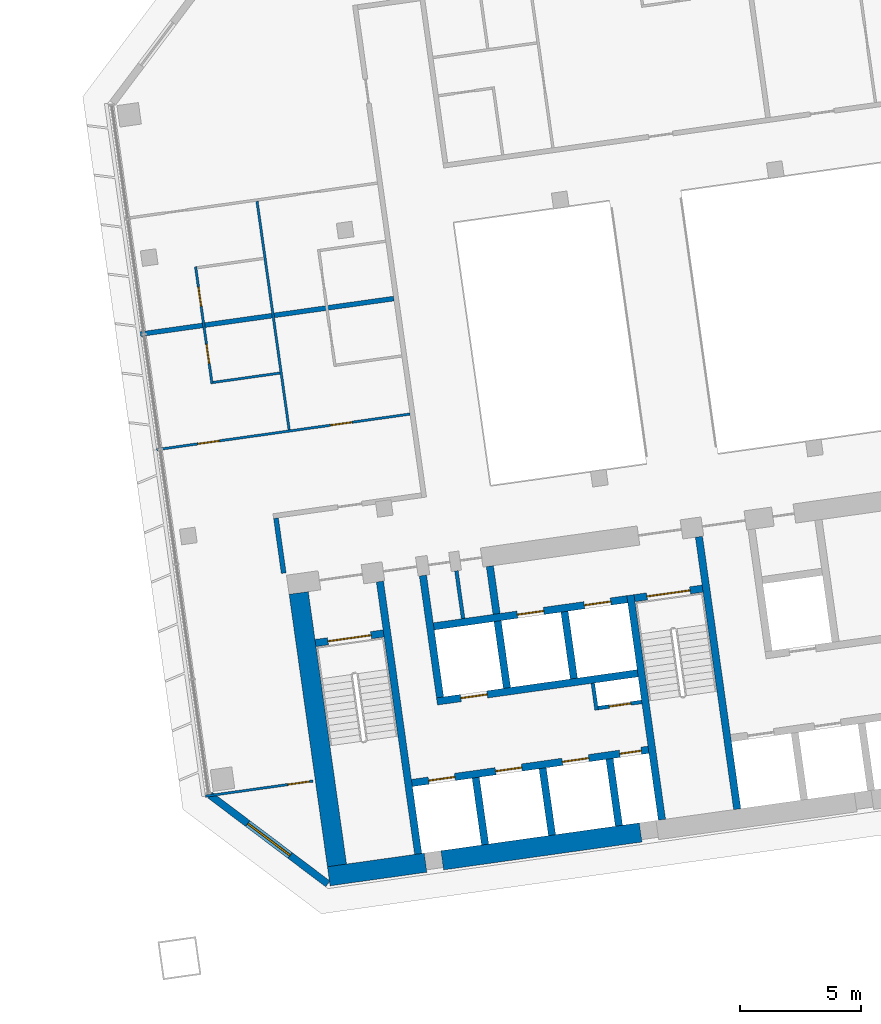
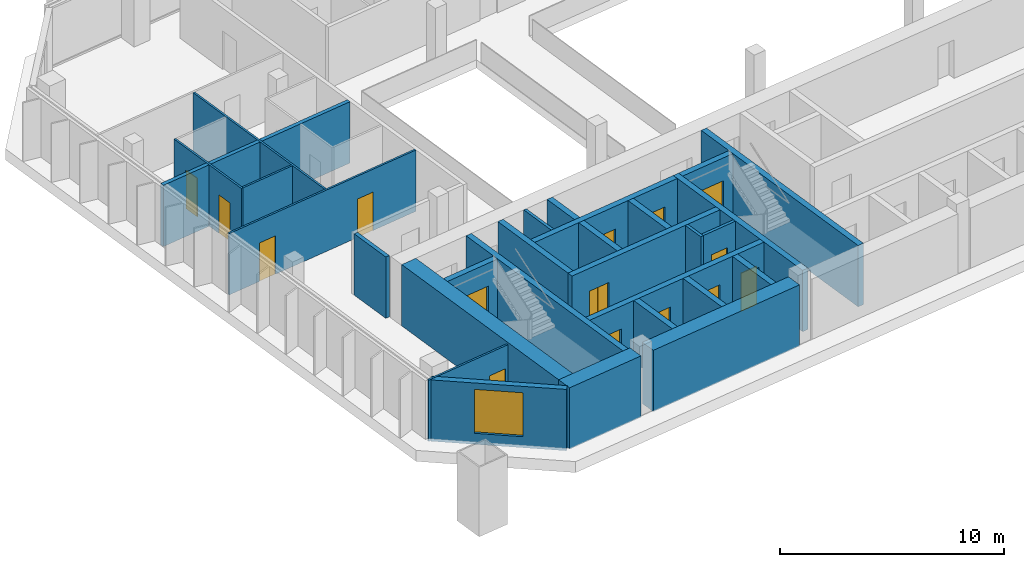
# One storey, part 26 of 33: 29 walls, 15 doors, 1 window, 16 openings.
"""IFC4 building model written with IfcOpenShell, lengths in metres."""

from ifc_helpers import new_model, si_unit, direction, frame, frame_2d, origin, place, context, subcontext, project, spatial, rectangle, extrude, material, layer, layer_set, type_object, element, fill, save


model = new_model("IFC4")

# Units and contexts
model_context = context("Model", 3, precision=1e-05, world=origin(), true_north=direction((0.0, 1.0)))
body_context = subcontext(model_context, "Body", "Model", "MODEL_VIEW")
ifc_project = project(units=[si_unit("LENGTHUNIT", "METRE"), si_unit("AREAUNIT", "SQUARE_METRE"), si_unit("VOLUMEUNIT", "CUBIC_METRE"), si_unit("PLANEANGLEUNIT", "RADIAN"), si_unit("MASSUNIT", "GRAM", prefix="KILO")], contexts=[model_context])

# Site, building, storey
site_placement = place(None, origin())
site = spatial("IfcSite", under=ifc_project, at=site_placement, CompositionType="ELEMENT")
building_placement = place(site_placement, origin())
building = spatial("IfcBuilding", under=site, at=building_placement, Name="Mirante Cascada Hotel Towers", CompositionType="ELEMENT")
storey_placement = place(building_placement, frame((0.0, 0.0, 121.5)))
storey = spatial("IfcBuildingStorey", under=building, at=storey_placement, Name="L27", CompositionType="ELEMENT", Elevation=121.5)

# Walls
ifc_material_1 = material(Name="Fire-rated plasterboard on metal studs")
ifc_layer_1 = layer(ifc_material_1, 0.2)
ifc_layer_set_1 = layer_set([ifc_layer_1], Name="Compartment wall 200 EI 120")
wall_type_1 = type_object("IfcWallType", Name="Compartment wall 200 EI 120", PredefinedType="PARTITIONING", material=ifc_layer_set_1)
wall_1_placement = place(storey_placement, frame((29.3273, 2.7863, 0.0), z_axis=(0.0, 0.0, 1.0), x_axis=(0.9902686, 0.1391691, 0.0)))
element("IfcWall", 1, at=wall_1_placement, inside=storey, type_object=wall_type_1, Name="Wall 2-L27-08", PredefinedType="PARTITIONING", context=body_context, shape_type="SweptSolid", body=[
    extrude(rectangle(XDim=10.6001, YDim=0.2, at=frame_2d((5.3, 0.0))), origin(), (0.0, 0.0, 1.0), 3.35),
])
wall_2_placement = place(storey_placement, frame((34.9433, -4.8397, 0.0), z_axis=(0.0, 0.0, 1.0), x_axis=(0.1391749, -0.9902678, 0.0)))
element("IfcWall", 2, at=wall_2_placement, inside=storey, type_object=wall_type_1, Name="Wall 2-L27-33", PredefinedType="PARTITIONING", context=body_context, shape_type="SweptSolid", body=[
    extrude(rectangle(XDim=2.3, YDim=0.2, at=frame_2d((1.15, 0.0))), origin(), (0.0, 0.0, 1.0), 3.35),
])
ifc_material_2 = material(Name="Masonry block", Category="masonry")
ifc_layer_2 = layer(ifc_material_2, 0.15)
ifc_layer_set_2 = layer_set([ifc_layer_2], Name="Core room partition 150 block EI 30")
wall_type_2 = type_object("IfcWallType", Name="Core room partition 150 block EI 30", PredefinedType="PARTITIONING", material=ifc_layer_set_2)
wall_3_placement = place(storey_placement, frame((48.2295, -12.793, 0.0), z_axis=(0.0, 0.0, 1.0), x_axis=(-0.1391935, 0.9902652, 0.0)))
element("IfcWall", 3, at=wall_3_placement, inside=storey, type_object=wall_type_2, Name="Core wall partition T2 L27 2", PredefinedType="PARTITIONING", context=body_context, shape_type="SweptSolid", body=[
    extrude(rectangle(XDim=1.1251, YDim=0.15, at=frame_2d((0.5626, 0.0))), origin(), (0.0, 0.0, 1.0), 3.35),
])

# Wall, opening, door
wall_4_placement = place(storey_placement, frame((48.2933, -12.7083, 0.0), z_axis=(0.0, 0.0, 1.0), x_axis=(0.990268, 0.1391734, 0.0)))
wall_4 = element("IfcWall", 4, at=wall_4_placement, inside=storey, type_object=wall_type_2, Name="Core wall partition T2 L27 3", PredefinedType="PARTITIONING", context=body_context, shape_type="SweptSolid", body=[
    extrude(rectangle(XDim=1.8251, YDim=0.15, at=frame_2d((0.9126, 0.0))), origin(), (0.0, 0.0, 1.0), 3.35),
])
opening_1_placement = place(wall_4_placement, frame((0.4625, 0.0, 0.0)))
opening_1 = element("IfcOpeningElement", 5, at=opening_1_placement, cuts=wall_4, Name="Opening D2-27-C23", PredefinedType="OPENING", context=body_context, shape_type="SweptSolid", body=[
    extrude(rectangle(XDim=0.9, YDim=2.1, at=frame_2d((0.45, 1.05))), frame((0.0, 0.075, 0.0), z_axis=(0.0, -1.0, 0.0), x_axis=(1.0, 0.0, 0.0)), (0.0, 0.0, 1.0), 0.15),
])
ifc_material_3 = material(Name="Hollow metal fire door leaf")
door_type_1 = type_object("IfcDoorType", Name="Fire door 900x2100 FD60", OperationType="NOTDEFINED", PredefinedType="DOOR", material=ifc_material_3)
door_1_placement = place(opening_1_placement, frame((0.9, 0.0, 0.0), z_axis=(0.0, 0.0, 1.0), x_axis=(-1.0, 0.0, 0.0)))
door_1 = element("IfcDoor", 6, at=door_1_placement, inside=storey, type_object=door_type_1, Name="Riser door T2 L27 23", OperationType="SINGLE_SWING_RIGHT", OverallHeight=2.1, OverallWidth=0.9, PredefinedType="DOOR", context=body_context, shape_type="SweptSolid", body=[
    extrude(rectangle(XDim=0.9, YDim=2.1, at=frame_2d((0.45, 1.05))), frame((0.0, 0.025, 0.0), z_axis=(0.0, -1.0, 0.0), x_axis=(1.0, 0.0, 0.0)), (0.0, 0.0, 1.0), 0.05),
])
fill(opening_1, door_1)

# Walls
wall_5_placement = place(storey_placement, frame((42.6979, -9.0009, 0.0), z_axis=(0.0, 0.0, 1.0), x_axis=(-0.1391529, 0.9902709, 0.0)))
element("IfcWall", 7, at=wall_5_placement, inside=storey, type_object=wall_type_2, Name="Core wall partition T2 L27 4", PredefinedType="PARTITIONING", context=body_context, shape_type="SweptSolid", body=[
    extrude(rectangle(XDim=2.0, YDim=0.15, at=frame_2d((1.0, 0.0))), origin(), (0.0, 0.0, 1.0), 3.35),
])
ifc_material_4 = material(Name="Masonry block", Category="masonry")
ifc_layer_3 = layer(ifc_material_4, 0.3)
ifc_layer_set_3 = layer_set([ifc_layer_3], Name="Core wall 300 block EI 120")
wall_type_3 = type_object("IfcWallType", Name="Core wall 300 block EI 120", PredefinedType="PARTITIONING", material=ifc_layer_set_3)
wall_6_placement = place(storey_placement, frame((44.0843, -8.8061, 0.0), z_axis=(0.0, 0.0, 1.0), x_axis=(-0.1391951, 0.990265, 0.0)))
element("IfcWall", 8, at=wall_6_placement, inside=storey, type_object=wall_type_3, Name="Core wall partition T2 L27 1", PredefinedType="PARTITIONING", context=body_context, shape_type="SweptSolid", body=[
    extrude(rectangle(XDim=2.0001, YDim=0.3, at=frame_2d((1.0001, 0.0))), origin(), (0.0, 0.0, 1.0), 3.35),
])

# Wall, opening, door
ifc_material_5 = material(Name="Plasterboard on metal studs")
ifc_layer_4 = layer(ifc_material_5, 0.1)
ifc_layer_set_4 = layer_set([ifc_layer_4], Name="Partition 100")
wall_type_4 = type_object("IfcWallType", Name="Partition 100", PredefinedType="PARTITIONING", material=ifc_layer_set_4)
wall_7_placement = place(storey_placement, frame((36.4742, -15.7326, 0.0), z_axis=(0.0, 0.0, 1.0), x_axis=(-0.9902674, -0.1391779, 0.0)))
wall_7 = element("IfcWall", 9, at=wall_7_placement, inside=storey, type_object=wall_type_4, Name="Wall 2-L27-01", PredefinedType="PARTITIONING", context=body_context, shape_type="SweptSolid", body=[
    extrude(rectangle(XDim=4.5, YDim=0.1, at=frame_2d((2.25, 0.0))), origin(), (0.0, 0.0, 1.0), 3.35),
])
opening_2_placement = place(wall_7_placement, frame((0.15, 0.0, 0.0)))
opening_2 = element("IfcOpeningElement", 10, at=opening_2_placement, cuts=wall_7, Name="Opening D2-L27-01", PredefinedType="OPENING", context=body_context, shape_type="SweptSolid", body=[
    extrude(rectangle(XDim=0.9, YDim=2.1, at=frame_2d((0.45, 1.05))), frame((0.0, 0.05, 0.0), z_axis=(0.0, -1.0, 0.0), x_axis=(1.0, 0.0, 0.0)), (0.0, 0.0, 1.0), 0.1),
])
ifc_material_6 = material(Name="Timber door leaf", Category="wood")
door_type_2 = type_object("IfcDoorType", Name="Room door DG3 900x2100", OperationType="SINGLE_SWING_LEFT", PredefinedType="DOOR", material=ifc_material_6)
door_2_placement = place(opening_2_placement, frame((0.9, 0.0, 0.0), z_axis=(0.0, 0.0, 1.0), x_axis=(-1.0, 0.0, 0.0)))
door_2 = element("IfcDoor", 11, at=door_2_placement, inside=storey, type_object=door_type_2, Name="Door D2-L27-01", OperationType="SINGLE_SWING_RIGHT", OverallHeight=2.1, OverallWidth=0.9, PredefinedType="DOOR", context=body_context, shape_type="SweptSolid", body=[
    extrude(rectangle(XDim=0.9, YDim=2.1, at=frame_2d((0.45, 1.05))), frame((0.0, 0.025, 0.0), z_axis=(0.0, -1.0, 0.0), x_axis=(1.0, 0.0, 0.0)), (0.0, 0.0, 1.0), 0.05),
])
fill(opening_2, door_2)

# Wall, openings, doors
wall_8_placement = place(storey_placement, frame((40.4968, -0.5248, 0.0), z_axis=(0.0, 0.0, 1.0), x_axis=(-0.9902684, -0.1391704, 0.0)))
wall_8 = element("IfcWall", 12, at=wall_8_placement, inside=storey, type_object=wall_type_4, Name="Wall 2-L27-03", PredefinedType="PARTITIONING", context=body_context, shape_type="SweptSolid", body=[
    extrude(rectangle(XDim=10.6, YDim=0.1, at=frame_2d((5.3, 0.0))), origin(), (0.0, 0.0, 1.0), 3.35),
])
opening_3_placement = place(wall_8_placement, frame((7.975, 0.0, 0.0)))
opening_3 = element("IfcOpeningElement", 13, at=opening_3_placement, cuts=wall_8, Name="Opening D2-L27-03", PredefinedType="OPENING", context=body_context, shape_type="SweptSolid", body=[
    extrude(rectangle(XDim=0.9, YDim=2.1, at=frame_2d((0.45, 1.05))), frame((0.0, 0.05, 0.0), z_axis=(0.0, -1.0, 0.0), x_axis=(1.0, 0.0, 0.0)), (0.0, 0.0, 1.0), 0.1),
])
opening_4_placement = place(wall_8_placement, frame((2.425, 0.0, 0.0)))
opening_4 = element("IfcOpeningElement", 14, at=opening_4_placement, cuts=wall_8, Name="Opening D2-L27-04", PredefinedType="OPENING", context=body_context, shape_type="SweptSolid", body=[
    extrude(rectangle(XDim=0.9, YDim=2.1, at=frame_2d((0.45, 1.05))), frame((0.0, 0.05, 0.0), z_axis=(0.0, -1.0, 0.0), x_axis=(1.0, 0.0, 0.0)), (0.0, 0.0, 1.0), 0.1),
])
door_3_placement = place(opening_3_placement, origin())
door_3 = element("IfcDoor", 15, at=door_3_placement, inside=storey, type_object=door_type_2, Name="Door D2-L27-03", OperationType="SINGLE_SWING_LEFT", OverallHeight=2.1, OverallWidth=0.9, PredefinedType="DOOR", context=body_context, shape_type="SweptSolid", body=[
    extrude(rectangle(XDim=0.9, YDim=2.1, at=frame_2d((0.45, 1.05))), frame((0.0, 0.025, 0.0), z_axis=(0.0, -1.0, 0.0), x_axis=(1.0, 0.0, 0.0)), (0.0, 0.0, 1.0), 0.05),
])
fill(opening_3, door_3)
door_4_placement = place(opening_4_placement, origin())
door_4 = element("IfcDoor", 16, at=door_4_placement, inside=storey, type_object=door_type_2, Name="Door D2-L27-04", OperationType="SINGLE_SWING_LEFT", OverallHeight=2.1, OverallWidth=0.9, PredefinedType="DOOR", context=body_context, shape_type="SweptSolid", body=[
    extrude(rectangle(XDim=0.9, YDim=2.1, at=frame_2d((0.45, 1.05))), frame((0.0, 0.025, 0.0), z_axis=(0.0, -1.0, 0.0), x_axis=(1.0, 0.0, 0.0)), (0.0, 0.0, 1.0), 0.05),
])
fill(opening_4, door_4)

# Wall
wall_9_placement = place(storey_placement, frame((32.3351, 0.7854, 0.0), z_axis=(0.0, 0.0, 1.0), x_axis=(0.990267, 0.139181, 0.0)))
element("IfcWall", 17, at=wall_9_placement, inside=storey, type_object=wall_type_4, Name="Wall 2-L27-06", PredefinedType="PARTITIONING", context=body_context, shape_type="SweptSolid", body=[
    extrude(rectangle(XDim=2.8, YDim=0.1, at=frame_2d((1.4, 0.0))), origin(), (0.0, 0.0, 1.0), 3.35),
])

# Wall, openings, doors
wall_10_placement = place(storey_placement, frame((32.2925, 0.7289, 0.0), z_axis=(0.0, 0.0, 1.0), x_axis=(-0.1391638, 0.9902694, 0.0)))
wall_10 = element("IfcWall", 18, at=wall_10_placement, inside=storey, type_object=wall_type_4, Name="Wall 2-L27-32", PredefinedType="PARTITIONING", context=body_context, shape_type="SweptSolid", body=[
    extrude(rectangle(XDim=4.9, YDim=0.1, at=frame_2d((2.45, 0.0))), origin(), (0.0, 0.0, 1.0), 3.35),
])
opening_5_placement = place(wall_10_placement, frame((0.85, 0.0, 0.0)))
opening_5 = element("IfcOpeningElement", 19, at=opening_5_placement, cuts=wall_10, Name="Opening D2-L27-23", PredefinedType="OPENING", context=body_context, shape_type="SweptSolid", body=[
    extrude(rectangle(XDim=0.8, YDim=2.1, at=frame_2d((0.4, 1.05))), frame((0.0, 0.05, 0.0), z_axis=(0.0, -1.0, 0.0), x_axis=(1.0, 0.0, 0.0)), (0.0, 0.0, 1.0), 0.1),
])
opening_6_placement = place(wall_10_placement, frame((3.25, 0.0, 0.0)))
opening_6 = element("IfcOpeningElement", 20, at=opening_6_placement, cuts=wall_10, Name="Opening D2-L27-24", PredefinedType="OPENING", context=body_context, shape_type="SweptSolid", body=[
    extrude(rectangle(XDim=0.8, YDim=2.1, at=frame_2d((0.4, 1.05))), frame((0.0, 0.05, 0.0), z_axis=(0.0, -1.0, 0.0), x_axis=(1.0, 0.0, 0.0)), (0.0, 0.0, 1.0), 0.1),
])
ifc_material_7 = material(Name="Timber door leaf", Category="wood")
door_type_3 = type_object("IfcDoorType", Name="Bathroom door DG4 800x2100", OperationType="SINGLE_SWING_LEFT", PredefinedType="DOOR", material=ifc_material_7)
door_5_placement = place(opening_5_placement, frame((0.8, 0.0, 0.0), z_axis=(0.0, 0.0, 1.0), x_axis=(-1.0, 0.0, 0.0)))
door_5 = element("IfcDoor", 21, at=door_5_placement, inside=storey, type_object=door_type_3, Name="Door D2-L27-23", OperationType="SINGLE_SWING_RIGHT", OverallHeight=2.1, OverallWidth=0.8, PredefinedType="DOOR", context=body_context, shape_type="SweptSolid", body=[
    extrude(rectangle(XDim=0.8, YDim=2.1, at=frame_2d((0.4, 1.05))), frame((0.0, 0.025, 0.0), z_axis=(0.0, -1.0, 0.0), x_axis=(1.0, 0.0, 0.0)), (0.0, 0.0, 1.0), 0.05),
])
fill(opening_5, door_5)
door_6_placement = place(opening_6_placement, frame((0.8, 0.0, 0.0), z_axis=(0.0, 0.0, 1.0), x_axis=(-1.0, 0.0, 0.0)))
door_6 = element("IfcDoor", 22, at=door_6_placement, inside=storey, type_object=door_type_3, Name="Door D2-L27-24", OperationType="SINGLE_SWING_RIGHT", OverallHeight=2.1, OverallWidth=0.8, PredefinedType="DOOR", context=body_context, shape_type="SweptSolid", body=[
    extrude(rectangle(XDim=0.8, YDim=2.1, at=frame_2d((0.4, 1.05))), frame((0.0, 0.025, 0.0), z_axis=(0.0, -1.0, 0.0), x_axis=(1.0, 0.0, 0.0)), (0.0, 0.0, 1.0), 0.05),
])
fill(opening_6, door_6)

# Wall
wall_11_placement = place(storey_placement, frame((35.489, -1.1781, 0.0), z_axis=(0.0, 0.0, 1.0), x_axis=(-0.1391703, 0.9902685, 0.0)))
element("IfcWall", 23, at=wall_11_placement, inside=storey, type_object=wall_type_4, Name="Wall 2-L27-34", PredefinedType="PARTITIONING", context=body_context, shape_type="SweptSolid", body=[
    extrude(rectangle(XDim=9.5667, YDim=0.1, at=frame_2d((4.7834, 0.0))), origin(), (0.0, 0.0, 1.0), 3.35),
])

# Wall, opening, window
ifc_material_8 = material(Name="Precast concrete C40/50", Category="concrete")
ifc_layer_5 = layer(ifc_material_8, 0.3)
ifc_layer_set_5 = layer_set([ifc_layer_5], Name="Precast concrete C40/50 cladding wall 300")
wall_type_5 = type_object("IfcWallType", Name="Precast concrete C40/50 cladding wall 300", PredefinedType="STANDARD", material=ifc_layer_set_5)
wall_12_placement = place(storey_placement, frame((32.2074, -16.3138, 0.0), z_axis=(0.0, 0.0, 1.0), x_axis=(0.7986362, -0.6018141, 0.0)))
wall_12 = element("IfcWall", 24, at=wall_12_placement, inside=storey, type_object=wall_type_5, Name="Corner cladding wall T2 L27 inner rear", PredefinedType="STANDARD", context=body_context, shape_type="SweptSolid", body=[
    extrude(rectangle(XDim=6.1157, YDim=0.3, at=frame_2d((3.0578, 0.0))), origin(), (0.0, 0.0, 1.0), 3.35),
])
opening_7_placement = place(wall_12_placement, frame((1.9578, 0.0, 0.6)))
opening_7 = element("IfcOpeningElement", 25, at=opening_7_placement, cuts=wall_12, Name="Opening W2-27-06", PredefinedType="OPENING", context=body_context, shape_type="SweptSolid", body=[
    extrude(rectangle(XDim=2.2, YDim=2.4, at=frame_2d((1.1, 1.2))), frame((0.0, 0.15, 0.0), z_axis=(0.0, -1.0, 0.0), x_axis=(1.0, 0.0, 0.0)), (0.0, 0.0, 1.0), 0.3),
])
ifc_material_9 = material(Name="Aluminium frame with clear double glazing", Category="aluminium")
window_type = type_object("IfcWindowType", Name="Corner suite window 2200x2400", PartitioningType="DOUBLE_PANEL_VERTICAL", PredefinedType="WINDOW", material=ifc_material_9)
window_placement = place(opening_7_placement, origin())
window = element("IfcWindow", 26, at=window_placement, inside=storey, type_object=window_type, Name="Window W2-27-06", OverallHeight=2.4, OverallWidth=2.2, PartitioningType="SINGLE_PANEL", PredefinedType="WINDOW", context=body_context, shape_type="SweptSolid", body=[
    extrude(rectangle(XDim=2.2, YDim=2.4, at=frame_2d((1.1, 1.2))), frame((0.0, 0.03, 0.0), z_axis=(0.0, -1.0, 0.0), x_axis=(1.0, 0.0, 0.0)), (0.0, 0.0, 1.0), 0.06),
])
fill(opening_7, window)

# Walls
ifc_material_10 = material(Name="Concrete C50/60", Category="concrete")
ifc_layer_6 = layer(ifc_material_10, 0.3)
ifc_layer_set_6 = layer_set([ifc_layer_6], Name="RC core wall 300 C50/60")
wall_type_6 = type_object("IfcWallType", Name="RC core wall 300 C50/60", PredefinedType="SHEAR", material=ifc_layer_set_6)
wall_13_placement = place(storey_placement, frame((40.8373, -18.7548, 0.0), z_axis=(0.0, 0.0, 1.0), x_axis=(-0.1391749, 0.9902678, 0.0)))
element("IfcWall", 27, at=wall_13_placement, inside=storey, type_object=wall_type_6, Name="Core wall T2:L27:5", PredefinedType="SHEAR", context=body_context, shape_type="SweptSolid", body=[
    extrude(rectangle(XDim=11.4, YDim=0.3, at=frame_2d((5.7, 0.0))), origin(), (0.0, 0.0, 1.0), 3.35),
])
wall_14_placement = place(storey_placement, frame((50.938, -17.3352, 0.0), z_axis=(0.0, 0.0, 1.0), x_axis=(-0.1391706, 0.9902684, 0.0)))
element("IfcWall", 28, at=wall_14_placement, inside=storey, type_object=wall_type_6, Name="Core wall T2:L27:6", PredefinedType="SHEAR", context=body_context, shape_type="SweptSolid", body=[
    extrude(rectangle(XDim=9.4, YDim=0.3, at=frame_2d((4.7, 0.0))), origin(), (0.0, 0.0, 1.0), 3.35),
])
wall_15_placement = place(storey_placement, frame((54.0574, -16.8968, 0.0), z_axis=(0.0, 0.0, 1.0), x_axis=(-0.1391761, 0.9902677, 0.0)))
element("IfcWall", 29, at=wall_15_placement, inside=storey, type_object=wall_type_6, Name="Core wall T2:L27:7", PredefinedType="SHEAR", context=body_context, shape_type="SweptSolid", body=[
    extrude(rectangle(XDim=11.3999, YDim=0.3, at=frame_2d((5.7, 0.0))), origin(), (0.0, 0.0, 1.0), 3.35),
])

# Wall, opening, door
wall_16_placement = place(storey_placement, frame((36.5791, -10.0123, 0.0), z_axis=(0.0, 0.0, 1.0), x_axis=(0.9902704, 0.1391564, 0.0)))
wall_16 = element("IfcWall", 30, at=wall_16_placement, inside=storey, type_object=wall_type_6, Name="Core wall T2:L27:9", PredefinedType="SHEAR", context=body_context, shape_type="SweptSolid", body=[
    extrude(rectangle(XDim=2.85, YDim=0.3, at=frame_2d((1.425, 0.0))), origin(), (0.0, 0.0, 1.0), 3.35),
])
opening_8_placement = place(wall_16_placement, frame((0.525, 0.0, 0.0)))
opening_8 = element("IfcOpeningElement", 31, at=opening_8_placement, cuts=wall_16, Name="Opening D2-27-C13", PredefinedType="OPENING", context=body_context, shape_type="SweptSolid", body=[
    extrude(rectangle(XDim=1.8, YDim=2.1, at=frame_2d((0.9, 1.05))), frame((0.0, 0.15, 0.0), z_axis=(0.0, -1.0, 0.0), x_axis=(1.0, 0.0, 0.0)), (0.0, 0.0, 1.0), 0.3),
])
ifc_material_11 = material(Name="Hollow metal fire door leaf")
door_type_4 = type_object("IfcDoorType", Name="Double fire door 1800x2100 FD60", OperationType="DOUBLE_DOOR_SINGLE_SWING", PredefinedType="DOOR", material=ifc_material_11)
door_7_placement = place(opening_8_placement, frame((1.8, 0.0, 0.0), z_axis=(0.0, 0.0, 1.0), x_axis=(-1.0, 0.0, 0.0)))
door_7 = element("IfcDoor", 32, at=door_7_placement, inside=storey, type_object=door_type_4, Name="Stair door T2 L27 13", OperationType="DOUBLE_DOOR_SINGLE_SWING", OverallHeight=2.1, OverallWidth=1.8, PredefinedType="DOOR", context=body_context, shape_type="SweptSolid", body=[
    extrude(rectangle(XDim=0.895, YDim=2.1, at=frame_2d((0.4475, 1.05))), frame((0.0, 0.025, 0.0), z_axis=(0.0, -1.0, 0.0), x_axis=(1.0, 0.0, 0.0)), (0.0, 0.0, 1.0), 0.05),
    extrude(rectangle(XDim=0.895, YDim=2.1, at=frame_2d((1.3525, 1.05))), frame((0.0, 0.025, 0.0), z_axis=(0.0, -1.0, 0.0), x_axis=(1.0, 0.0, 0.0)), (0.0, 0.0, 1.0), 0.05),
])
fill(opening_8, door_7)

wall_17_placement = place(storey_placement, frame((49.7992, -8.1544, 0.0), z_axis=(0.0, 0.0, 1.0), x_axis=(0.9902656, 0.1391909, 0.0)))
wall_17 = element("IfcWall", 33, at=wall_17_placement, inside=storey, type_object=wall_type_6, Name="Core wall T2:L27:10", PredefinedType="SHEAR", context=body_context, shape_type="SweptSolid", body=[
    extrude(rectangle(XDim=2.85, YDim=0.3, at=frame_2d((1.425, 0.0))), origin(), (0.0, 0.0, 1.0), 3.35),
])
opening_9_placement = place(wall_17_placement, frame((0.525, 0.0, 0.0)))
opening_9 = element("IfcOpeningElement", 34, at=opening_9_placement, cuts=wall_17, Name="Opening D2-27-C15", PredefinedType="OPENING", context=body_context, shape_type="SweptSolid", body=[
    extrude(rectangle(XDim=1.8, YDim=2.1, at=frame_2d((0.9, 1.05))), frame((0.0, 0.15, 0.0), z_axis=(0.0, -1.0, 0.0), x_axis=(1.0, 0.0, 0.0)), (0.0, 0.0, 1.0), 0.3),
])
door_8_placement = place(opening_9_placement, frame((1.8, 0.0, 0.0), z_axis=(0.0, 0.0, 1.0), x_axis=(-1.0, 0.0, 0.0)))
door_8 = element("IfcDoor", 35, at=door_8_placement, inside=storey, type_object=door_type_4, Name="Stair door T2 L27 15", OperationType="DOUBLE_DOOR_SINGLE_SWING", OverallHeight=2.1, OverallWidth=1.8, PredefinedType="DOOR", context=body_context, shape_type="SweptSolid", body=[
    extrude(rectangle(XDim=0.895, YDim=2.1, at=frame_2d((0.4475, 1.05))), frame((0.0, 0.025, 0.0), z_axis=(0.0, -1.0, 0.0), x_axis=(1.0, 0.0, 0.0)), (0.0, 0.0, 1.0), 0.05),
    extrude(rectangle(XDim=0.895, YDim=2.1, at=frame_2d((1.3525, 1.05))), frame((0.0, 0.025, 0.0), z_axis=(0.0, -1.0, 0.0), x_axis=(1.0, 0.0, 0.0)), (0.0, 0.0, 1.0), 0.05),
])
fill(opening_9, door_8)

# Wall, openings, doors
wall_18_placement = place(storey_placement, frame((40.5753, -15.8126, 0.0), z_axis=(0.0, 0.0, 1.0), x_axis=(0.9902682, 0.1391725, 0.0)))
wall_18 = element("IfcWall", 36, at=wall_18_placement, inside=storey, type_object=wall_type_6, Name="Core wall T2:L27:12", PredefinedType="SHEAR", context=body_context, shape_type="SweptSolid", body=[
    extrude(rectangle(XDim=9.8999, YDim=0.3, at=frame_2d((4.95, 0.0))), origin(), (0.0, 0.0, 1.0), 3.35),
])
opening_10_placement = place(wall_18_placement, frame((0.7, 0.0, 0.0)))
opening_10 = element("IfcOpeningElement", 37, at=opening_10_placement, cuts=wall_18, Name="Opening LD", PredefinedType="OPENING", context=body_context, shape_type="SweptSolid", body=[
    extrude(rectangle(XDim=1.1, YDim=2.1, at=frame_2d((0.55, 1.05))), frame((0.0, 0.15, 0.0), z_axis=(0.0, -1.0, 0.0), x_axis=(1.0, 0.0, 0.0)), (0.0, 0.0, 1.0), 0.3),
])
opening_11_placement = place(wall_18_placement, frame((3.5, 0.0, 0.0)))
opening_11 = element("IfcOpeningElement", 38, at=opening_11_placement, cuts=wall_18, Name="Opening LD", PredefinedType="OPENING", context=body_context, shape_type="SweptSolid", body=[
    extrude(rectangle(XDim=1.1, YDim=2.1, at=frame_2d((0.55, 1.05))), frame((0.0, 0.15, 0.0), z_axis=(0.0, -1.0, 0.0), x_axis=(1.0, 0.0, 0.0)), (0.0, 0.0, 1.0), 0.3),
])
opening_12_placement = place(wall_18_placement, frame((6.3, 0.0, 0.0)))
opening_12 = element("IfcOpeningElement", 39, at=opening_12_placement, cuts=wall_18, Name="Opening LD", PredefinedType="OPENING", context=body_context, shape_type="SweptSolid", body=[
    extrude(rectangle(XDim=1.1, YDim=2.1, at=frame_2d((0.55, 1.05))), frame((0.0, 0.15, 0.0), z_axis=(0.0, -1.0, 0.0), x_axis=(1.0, 0.0, 0.0)), (0.0, 0.0, 1.0), 0.3),
])
opening_13_placement = place(wall_18_placement, frame((8.7, 0.0, 0.0)))
opening_13 = element("IfcOpeningElement", 40, at=opening_13_placement, cuts=wall_18, Name="Opening D2-27-C22", PredefinedType="OPENING", context=body_context, shape_type="SweptSolid", body=[
    extrude(rectangle(XDim=0.9, YDim=2.1, at=frame_2d((0.45, 1.05))), frame((0.0, 0.15, 0.0), z_axis=(0.0, -1.0, 0.0), x_axis=(1.0, 0.0, 0.0)), (0.0, 0.0, 1.0), 0.3),
])
door_9_placement = place(opening_13_placement, frame((0.9, 0.0, 0.0), z_axis=(0.0, 0.0, 1.0), x_axis=(-1.0, 0.0, 0.0)))
door_9 = element("IfcDoor", 41, at=door_9_placement, inside=storey, type_object=door_type_1, Name="Riser door T2 L27 22", OperationType="SINGLE_SWING_RIGHT", OverallHeight=2.1, OverallWidth=0.9, PredefinedType="DOOR", context=body_context, shape_type="SweptSolid", body=[
    extrude(rectangle(XDim=0.9, YDim=2.1, at=frame_2d((0.45, 1.05))), frame((0.0, 0.025, 0.0), z_axis=(0.0, -1.0, 0.0), x_axis=(1.0, 0.0, 0.0)), (0.0, 0.0, 1.0), 0.05),
])
fill(opening_13, door_9)
ifc_material_12 = material(Name="Stainless steel", Category="steel")
door_type_5 = type_object("IfcDoorType", Name="Lift landing door 1100x2100 EI 120", OperationType="DOUBLE_DOOR_SLIDING", PredefinedType="DOOR", material=ifc_material_12)
door_10_placement = place(opening_10_placement, origin())
door_10 = element("IfcDoor", 42, at=door_10_placement, inside=storey, type_object=door_type_5, Name="Lift landing door HR2-1 L27", OperationType="DOUBLE_DOOR_SLIDING", OverallHeight=2.1, OverallWidth=1.1, PredefinedType="DOOR", context=body_context, shape_type="SweptSolid", body=[
    extrude(rectangle(XDim=0.545, YDim=2.1, at=frame_2d((0.2725, 1.05))), frame((0.0, 0.025, 0.0), z_axis=(0.0, -1.0, 0.0), x_axis=(1.0, 0.0, 0.0)), (0.0, 0.0, 1.0), 0.05),
    extrude(rectangle(XDim=0.545, YDim=2.1, at=frame_2d((0.8275, 1.05))), frame((0.0, 0.025, 0.0), z_axis=(0.0, -1.0, 0.0), x_axis=(1.0, 0.0, 0.0)), (0.0, 0.0, 1.0), 0.05),
])
fill(opening_10, door_10)
door_11_placement = place(opening_11_placement, origin())
door_11 = element("IfcDoor", 43, at=door_11_placement, inside=storey, type_object=door_type_5, Name="Lift landing door HR2-2 L27", OperationType="DOUBLE_DOOR_SLIDING", OverallHeight=2.1, OverallWidth=1.1, PredefinedType="DOOR", context=body_context, shape_type="SweptSolid", body=[
    extrude(rectangle(XDim=0.545, YDim=2.1, at=frame_2d((0.2725, 1.05))), frame((0.0, 0.025, 0.0), z_axis=(0.0, -1.0, 0.0), x_axis=(1.0, 0.0, 0.0)), (0.0, 0.0, 1.0), 0.05),
    extrude(rectangle(XDim=0.545, YDim=2.1, at=frame_2d((0.8275, 1.05))), frame((0.0, 0.025, 0.0), z_axis=(0.0, -1.0, 0.0), x_axis=(1.0, 0.0, 0.0)), (0.0, 0.0, 1.0), 0.05),
])
fill(opening_11, door_11)
door_12_placement = place(opening_12_placement, origin())
door_12 = element("IfcDoor", 44, at=door_12_placement, inside=storey, type_object=door_type_5, Name="Lift landing door HR2-3 L27", OperationType="DOUBLE_DOOR_SLIDING", OverallHeight=2.1, OverallWidth=1.1, PredefinedType="DOOR", context=body_context, shape_type="SweptSolid", body=[
    extrude(rectangle(XDim=0.545, YDim=2.1, at=frame_2d((0.2725, 1.05))), frame((0.0, 0.025, 0.0), z_axis=(0.0, -1.0, 0.0), x_axis=(1.0, 0.0, 0.0)), (0.0, 0.0, 1.0), 0.05),
    extrude(rectangle(XDim=0.545, YDim=2.1, at=frame_2d((0.8275, 1.05))), frame((0.0, 0.025, 0.0), z_axis=(0.0, -1.0, 0.0), x_axis=(1.0, 0.0, 0.0)), (0.0, 0.0, 1.0), 0.05),
])
fill(opening_12, door_12)

# Wall, opening, door
wall_19_placement = place(storey_placement, frame((41.6153, -12.435, 0.0), z_axis=(0.0, 0.0, 1.0), x_axis=(0.9902691, 0.139166, 0.0)))
wall_19 = element("IfcWall", 45, at=wall_19_placement, inside=storey, type_object=wall_type_6, Name="Core wall T2:L27:13", PredefinedType="SHEAR", context=body_context, shape_type="SweptSolid", body=[
    extrude(rectangle(XDim=8.4, YDim=0.3, at=frame_2d((4.2, 0.0))), origin(), (0.0, 0.0, 1.0), 3.35),
])
opening_14_placement = place(wall_19_placement, frame((1.0, 0.0, 0.0)))
opening_14 = element("IfcOpeningElement", 46, at=opening_14_placement, cuts=wall_19, Name="Opening LD", PredefinedType="OPENING", context=body_context, shape_type="SweptSolid", body=[
    extrude(rectangle(XDim=1.1, YDim=2.1, at=frame_2d((0.55, 1.05))), frame((0.0, 0.15, 0.0), z_axis=(0.0, -1.0, 0.0), x_axis=(1.0, 0.0, 0.0)), (0.0, 0.0, 1.0), 0.3),
])
door_13_placement = place(opening_14_placement, origin())
door_13 = element("IfcDoor", 47, at=door_13_placement, inside=storey, type_object=door_type_5, Name="Lift landing door HR2-4 L27", OperationType="DOUBLE_DOOR_SLIDING", OverallHeight=2.1, OverallWidth=1.1, PredefinedType="DOOR", context=body_context, shape_type="SweptSolid", body=[
    extrude(rectangle(XDim=0.545, YDim=2.1, at=frame_2d((0.2725, 1.05))), frame((0.0, 0.025, 0.0), z_axis=(0.0, -1.0, 0.0), x_axis=(1.0, 0.0, 0.0)), (0.0, 0.0, 1.0), 0.05),
    extrude(rectangle(XDim=0.545, YDim=2.1, at=frame_2d((0.8275, 1.05))), frame((0.0, 0.025, 0.0), z_axis=(0.0, -1.0, 0.0), x_axis=(1.0, 0.0, 0.0)), (0.0, 0.0, 1.0), 0.05),
])
fill(opening_14, door_13)

# Wall, openings, doors
wall_20_placement = place(storey_placement, frame((41.481, -9.3234, 0.0), z_axis=(0.0, 0.0, 1.0), x_axis=(0.9902679, 0.1391741, 0.0)))
wall_20 = element("IfcWall", 48, at=wall_20_placement, inside=storey, type_object=wall_type_6, Name="Core wall T2:L27:14", PredefinedType="SHEAR", context=body_context, shape_type="SweptSolid", body=[
    extrude(rectangle(XDim=8.0999, YDim=0.3, at=frame_2d((4.05, 0.0))), origin(), (0.0, 0.0, 1.0), 3.35),
])
opening_15_placement = place(wall_20_placement, frame((3.5, 0.0, 0.0)))
opening_15 = element("IfcOpeningElement", 49, at=opening_15_placement, cuts=wall_20, Name="Opening LD", PredefinedType="OPENING", context=body_context, shape_type="SweptSolid", body=[
    extrude(rectangle(XDim=1.1, YDim=2.1, at=frame_2d((0.55, 1.05))), frame((0.0, 0.15, 0.0), z_axis=(0.0, -1.0, 0.0), x_axis=(1.0, 0.0, 0.0)), (0.0, 0.0, 1.0), 0.3),
])
opening_16_placement = place(wall_20_placement, frame((6.3, 0.0, 0.0)))
opening_16 = element("IfcOpeningElement", 50, at=opening_16_placement, cuts=wall_20, Name="Opening LD", PredefinedType="OPENING", context=body_context, shape_type="SweptSolid", body=[
    extrude(rectangle(XDim=1.1, YDim=2.1, at=frame_2d((0.55, 1.05))), frame((0.0, 0.15, 0.0), z_axis=(0.0, -1.0, 0.0), x_axis=(1.0, 0.0, 0.0)), (0.0, 0.0, 1.0), 0.3),
])
door_14_placement = place(opening_15_placement, origin())
door_14 = element("IfcDoor", 51, at=door_14_placement, inside=storey, type_object=door_type_5, Name="Lift landing door FF3 L27", OperationType="DOUBLE_DOOR_SLIDING", OverallHeight=2.1, OverallWidth=1.1, PredefinedType="DOOR", context=body_context, shape_type="SweptSolid", body=[
    extrude(rectangle(XDim=0.545, YDim=2.1, at=frame_2d((0.2725, 1.05))), frame((0.0, 0.025, 0.0), z_axis=(0.0, -1.0, 0.0), x_axis=(1.0, 0.0, 0.0)), (0.0, 0.0, 1.0), 0.05),
    extrude(rectangle(XDim=0.545, YDim=2.1, at=frame_2d((0.8275, 1.05))), frame((0.0, 0.025, 0.0), z_axis=(0.0, -1.0, 0.0), x_axis=(1.0, 0.0, 0.0)), (0.0, 0.0, 1.0), 0.05),
])
fill(opening_15, door_14)
door_15_placement = place(opening_16_placement, origin())
door_15 = element("IfcDoor", 52, at=door_15_placement, inside=storey, type_object=door_type_5, Name="Lift landing door FF4 L27", OperationType="DOUBLE_DOOR_SLIDING", OverallHeight=2.1, OverallWidth=1.1, PredefinedType="DOOR", context=body_context, shape_type="SweptSolid", body=[
    extrude(rectangle(XDim=0.545, YDim=2.1, at=frame_2d((0.2725, 1.05))), frame((0.0, 0.025, 0.0), z_axis=(0.0, -1.0, 0.0), x_axis=(1.0, 0.0, 0.0)), (0.0, 0.0, 1.0), 0.05),
    extrude(rectangle(XDim=0.545, YDim=2.1, at=frame_2d((0.8275, 1.05))), frame((0.0, 0.025, 0.0), z_axis=(0.0, -1.0, 0.0), x_axis=(1.0, 0.0, 0.0)), (0.0, 0.0, 1.0), 0.05),
])
fill(opening_16, door_15)

# Walls
wall_21_placement = place(storey_placement, frame((43.61, -18.3651, 0.0), z_axis=(0.0, 0.0, 1.0), x_axis=(-0.1391459, 0.9902719, 0.0)))
element("IfcWall", 53, at=wall_21_placement, inside=storey, type_object=wall_type_6, Name="Core wall T2:L27:15", PredefinedType="SHEAR", context=body_context, shape_type="SweptSolid", body=[
    extrude(rectangle(XDim=2.7999, YDim=0.3, at=frame_2d((1.4, 0.0))), origin(), (0.0, 0.0, 1.0), 3.35),
])
wall_22_placement = place(storey_placement, frame((46.3828, -17.9754, 0.0), z_axis=(0.0, 0.0, 1.0), x_axis=(-0.139181, 0.990267, 0.0)))
element("IfcWall", 54, at=wall_22_placement, inside=storey, type_object=wall_type_6, Name="Core wall T2:L27:16", PredefinedType="SHEAR", context=body_context, shape_type="SweptSolid", body=[
    extrude(rectangle(XDim=2.8, YDim=0.3, at=frame_2d((1.4, 0.0))), origin(), (0.0, 0.0, 1.0), 3.35),
])
wall_23_placement = place(storey_placement, frame((49.1555, -17.5857, 0.0), z_axis=(0.0, 0.0, 1.0), x_axis=(-0.1391459, 0.9902719, 0.0)))
element("IfcWall", 55, at=wall_23_placement, inside=storey, type_object=wall_type_6, Name="Core wall T2:L27:17", PredefinedType="SHEAR", context=body_context, shape_type="SweptSolid", body=[
    extrude(rectangle(XDim=2.7999, YDim=0.3, at=frame_2d((1.4, 0.0))), origin(), (0.0, 0.0, 1.0), 3.35),
])
for number, where, z_axis, x_axis, name in (
    (56, (44.5157, -11.8759, 0.0), (0.0, 0.0, 1.0), (-0.139181, 0.990267, 0.0), "Core wall T2:L27:18"),
    (57, (47.2885, -11.4862, 0.0), (0.0, 0.0, 1.0), (-0.139181, 0.990267, 0.0), "Core wall T2:L27:19"),
):
    element("IfcWall", number, at=place(storey_placement, frame(where, z_axis=z_axis, x_axis=x_axis)), inside=storey, type_object=wall_type_6, Name=name, PredefinedType="SHEAR", context=body_context, shape_type="SweptSolid", body=[
        extrude(rectangle(XDim=2.8, YDim=0.3, at=frame_2d((1.4, 0.0))), origin(), (0.0, 0.0, 1.0), 3.35),
    ])
wall_24_placement = place(storey_placement, frame((41.743, -12.2656, 0.0), z_axis=(0.0, 0.0, 1.0), x_axis=(-0.1391755, 0.9902677, 0.0)))
element("IfcWall", 58, at=wall_24_placement, inside=storey, type_object=wall_type_6, Name="Core wall T2:L27:20", PredefinedType="SHEAR", context=body_context, shape_type="SweptSolid", body=[
    extrude(rectangle(XDim=5.1, YDim=0.3, at=frame_2d((2.55, 0.0))), origin(), (0.0, 0.0, 1.0), 3.35),
])
ifc_material_13 = material(Name="Concrete C50/60", Category="concrete")
ifc_layer_7 = layer(ifc_material_13, 0.8)
ifc_layer_set_7 = layer_set([ifc_layer_7], Name="RC core wall 800 C50/60")
wall_type_7 = type_object("IfcWallType", Name="RC core wall 800 C50/60", PredefinedType="SHEAR", material=ifc_layer_set_7)
wall_25_placement = place(storey_placement, frame((37.1299, -19.6798, 0.0), z_axis=(0.0, 0.0, 1.0), x_axis=(0.9902665, 0.1391845, 0.0)))
element("IfcWall", 59, at=wall_25_placement, inside=storey, type_object=wall_type_7, Name="Core wall T2:L27:1.1", PredefinedType="SHEAR", context=body_context, shape_type="SweptSolid", body=[
    extrude(rectangle(XDim=4.05, YDim=0.8, at=frame_2d((2.025, 0.0))), origin(), (0.0, 0.0, 1.0), 3.35),
])
wall_26_placement = place(storey_placement, frame((41.8337, -19.0187, 0.0), z_axis=(0.0, 0.0, 1.0), x_axis=(0.9902686, 0.1391692, 0.0)))
element("IfcWall", 60, at=wall_26_placement, inside=storey, type_object=wall_type_7, Name="Core wall T2:L27:1.2", PredefinedType="SHEAR", context=body_context, shape_type="SweptSolid", body=[
    extrude(rectangle(XDim=8.3, YDim=0.8, at=frame_2d((4.15, 0.0))), origin(), (0.0, 0.0, 1.0), 3.35),
])
wall_27_placement = place(storey_placement, frame((37.4704, -19.228, 0.0), z_axis=(0.0, 0.0, 1.0), x_axis=(-0.1391749, 0.9902678, 0.0)))
element("IfcWall", 61, at=wall_27_placement, inside=storey, type_object=wall_type_7, Name="Core wall T2:L27:3", PredefinedType="SHEAR", context=body_context, shape_type="SweptSolid", body=[
    extrude(rectangle(XDim=11.4, YDim=0.8, at=frame_2d((5.7, 0.0))), origin(), (0.0, 0.0, 1.0), 3.35),
])

save(model, "model.ifc")
